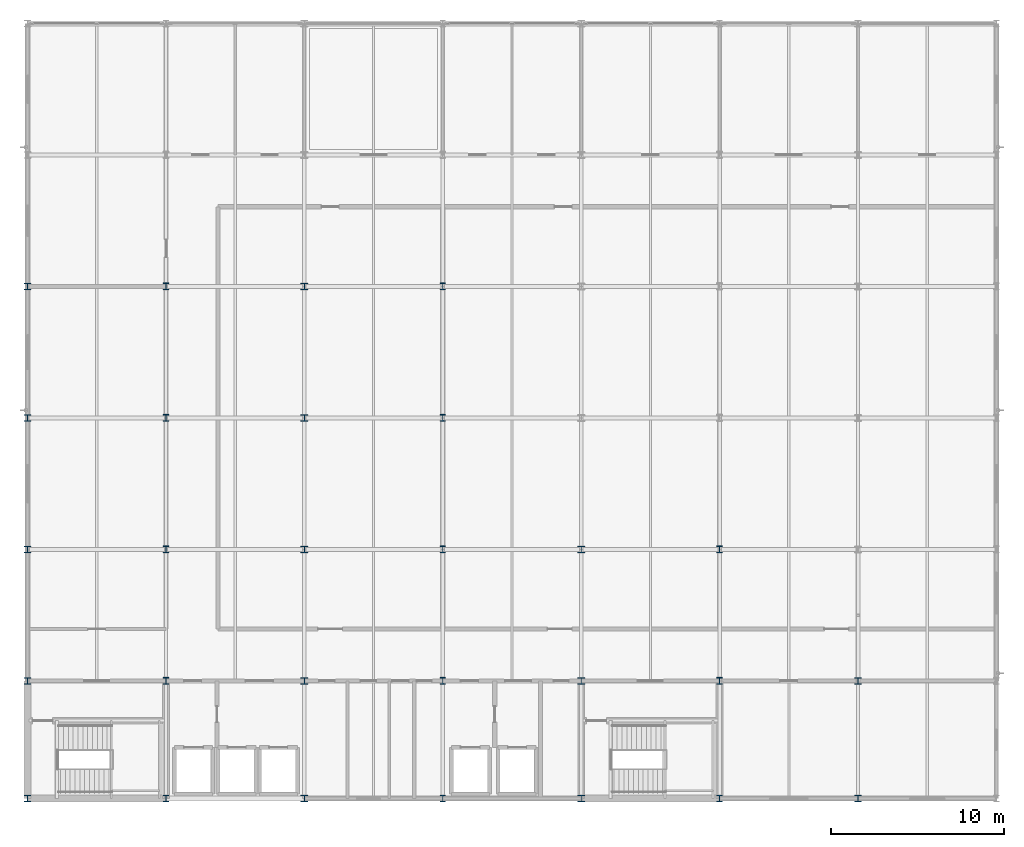
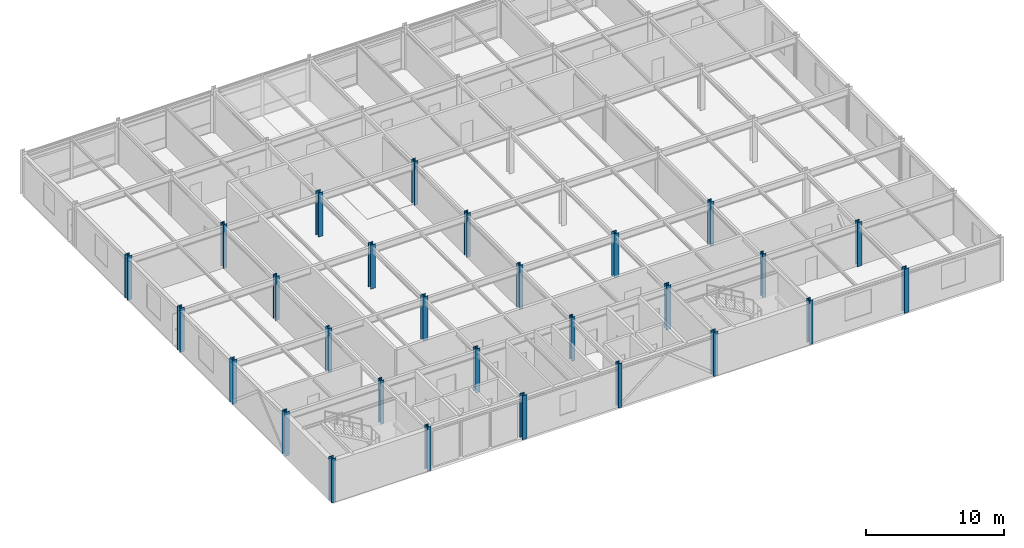
# One storey, part 1 of 18: 28 columns.
"""IFC4 building model written with IfcOpenShell, lengths in metres."""

from ifc_helpers import new_model, si_unit, direction, frame, origin, origin_2d, place, context, subcontext, project, spatial, i_section, extrude, material, material_profile, profile_set, type_object, element, save


model = new_model("IFC4")

# Units and contexts
model_context = context("Model", 3, precision=1e-05, world=origin(), true_north=direction((0.0, 1.0)))
body_context = subcontext(model_context, "Body", "Model", "MODEL_VIEW")
ifc_project = project(units=[si_unit("LENGTHUNIT", "METRE"), si_unit("AREAUNIT", "SQUARE_METRE"), si_unit("VOLUMEUNIT", "CUBIC_METRE"), si_unit("PLANEANGLEUNIT", "RADIAN"), si_unit("MASSUNIT", "GRAM", prefix="KILO")], contexts=[model_context])

# Site, building, storey
site_placement = place(None, origin())
site = spatial("IfcSite", under=ifc_project, at=site_placement, CompositionType="ELEMENT")
building_placement = place(site_placement, origin())
building = spatial("IfcBuilding", under=site, at=building_placement, Name="Shalkamar Park Central Library", CompositionType="ELEMENT")
storey_placement = place(building_placement, frame((0.0, 0.0, 24.300048828125)))
storey = spatial("IfcBuildingStorey", under=building, at=storey_placement, Name="L06", CompositionType="ELEMENT", Elevation=24.300048828125)

# Columns
ifc_material = material(Name="Steel S355", Category="steel")
ifc_material_profile_1 = material_profile(ifc_material, i_section(OverallWidth=0.39794921875, OverallDepth=0.386962890625, WebThickness=0.02099609375, FlangeThickness=0.033203125, FilletRadius=0.014892578125, at=origin_2d()), Name="HD 400x262")
ifc_profile_set_1 = profile_set([ifc_material_profile_1], Name="Steel S355")
column_type_1 = type_object("IfcColumnType", Name="Column Steel HD400x262", PredefinedType="COLUMN", material=ifc_profile_set_1)
for number, where, z_axis, x_axis, name in (
    (1, (165.0, 248.39990234375, 0.0), (0.0, 0.0, 1.0), (1.0, 0.0, 0.0), "Column 07/B (L06)"),
    (2, (165.0, 255.199951171875, 0.0), (0.0, 0.0, 1.0), (1.0, 0.0, 0.0), "Column 07/C (L06)"),
    (3, (165.0, 262.800048828125, 0.0), (0.0, 0.0, 1.0), (1.0, 0.0, 0.0), "Column 07/D (L06)"),
    (4, (165.0, 270.39990234375, 0.0), (0.0, 0.0, 1.0), (1.0, 0.0, 0.0), "Column 07/E (L06)"),
    (5, (165.0, 278.0, 0.0), (0.0, 0.0, 1.0), (1.0, 0.0, 0.0), "Column 07/F (L06)"),
    (6, (181.0, 248.39990234375, 0.0), (0.0, 0.0, 1.0), (1.0, 0.0, 0.0), "Column 09/B (L06)"),
    (7, (181.0, 255.199951171875, 0.0), (0.0, 0.0, 1.0), (1.0, 0.0, 0.0), "Column 09/C (L06)"),
    (8, (181.0, 262.800048828125, 0.0), (0.0, 0.0, 1.0), (1.0, 0.0, 0.0), "Column 09/D (L06)"),
    (9, (181.0, 270.39990234375, 0.0), (0.0, 0.0, 1.0), (1.0, 0.0, 0.0), "Column 09/E (L06)"),
    (10, (181.0, 278.0, 0.0), (0.0, 0.0, 1.0), (1.0, 0.0, 0.0), "Column 09/F (L06)"),
    (11, (197.0, 248.39990234375, 0.0), (0.0, 0.0, 1.0), (1.0, 0.0, 0.0), "Column 11/B (L06)"),
    (12, (197.0, 255.199951171875, 0.0), (0.0, 0.0, 1.0), (1.0, 0.0, 0.0), "Column 11/C (L06)"),
    (13, (197.0, 262.800048828125, 0.0), (0.0, 0.0, 1.0), (1.0, 0.0, 0.0), "Column 11/D (L06)"),
    (14, (213.0, 248.39990234375, 0.0), (0.0, 0.0, 1.0), (1.0, 0.0, 0.0), "Column 13/B (L06)"),
    (15, (213.0, 255.199951171875, 0.0), (0.0, 0.0, 1.0), (1.0, 0.0, 0.0), "Column 13/C (L06)"),
):
    element("IfcColumn", number, at=place(storey_placement, frame(where, z_axis=z_axis, x_axis=x_axis)), inside=storey, type_object=column_type_1, Name=name, PredefinedType="COLUMN", context=body_context, shape_type="SweptSolid", body=[
        extrude(i_section(OverallWidth=0.39794921875, OverallDepth=0.386962890625, WebThickness=0.02099609375, FlangeThickness=0.033203125, FilletRadius=0.014892578125, at=origin_2d()), origin(), (0.0, 0.0, 1.0), 3.89990234375),
    ])
ifc_material_profile_2 = material_profile(ifc_material, i_section(OverallWidth=0.30810546875, OverallDepth=0.39501953125, WebThickness=0.02099609375, FlangeThickness=0.0400390625, FilletRadius=0.027099609375, at=origin_2d()), Name="HEM 360")
ifc_profile_set_2 = profile_set([ifc_material_profile_2], Name="Steel S355")
column_type_2 = type_object("IfcColumnType", Name="Column Steel HEM360", PredefinedType="COLUMN", material=ifc_profile_set_2)
for number, where, z_axis, x_axis, name in (
    (16, (173.0, 248.39990234375, 0.0), (0.0, 0.0, 1.0), (1.0, 0.0, 0.0), "Column 08/B (L06)"),
    (17, (173.0, 255.199951171875, 0.0), (0.0, 0.0, 1.0), (1.0, 0.0, 0.0), "Column 08/C (L06)"),
    (18, (173.0, 262.800048828125, 0.0), (0.0, 0.0, 1.0), (1.0, 0.0, 0.0), "Column 08/D (L06)"),
    (19, (173.0, 270.39990234375, 0.0), (0.0, 0.0, 1.0), (1.0, 0.0, 0.0), "Column 08/E (L06)"),
    (20, (173.0, 278.0, 0.0), (0.0, 0.0, 1.0), (1.0, 0.0, 0.0), "Column 08/F (L06)"),
    (21, (189.0, 248.39990234375, 0.0), (0.0, 0.0, 1.0), (1.0, 0.0, 0.0), "Column 10/B (L06)"),
    (22, (189.0, 255.199951171875, 0.0), (0.0, 0.0, 1.0), (1.0, 0.0, 0.0), "Column 10/C (L06)"),
    (23, (189.0, 262.800048828125, 0.0), (0.0, 0.0, 1.0), (1.0, 0.0, 0.0), "Column 10/D (L06)"),
    (24, (189.0, 270.39990234375, 0.0), (0.0, 0.0, 1.0), (1.0, 0.0, 0.0), "Column 10/E (L06)"),
    (25, (189.0, 278.0, 0.0), (0.0, 0.0, 1.0), (1.0, 0.0, 0.0), "Column 10/F (L06)"),
    (26, (205.0, 248.39990234375, 0.0), (0.0, 0.0, 1.0), (1.0, 0.0, 0.0), "Column 12/B (L06)"),
    (27, (205.0, 255.199951171875, 0.0), (0.0, 0.0, 1.0), (1.0, 0.0, 0.0), "Column 12/C (L06)"),
    (28, (205.0, 262.800048828125, 0.0), (0.0, 0.0, 1.0), (1.0, 0.0, 0.0), "Column 12/D (L06)"),
):
    element("IfcColumn", number, at=place(storey_placement, frame(where, z_axis=z_axis, x_axis=x_axis)), inside=storey, type_object=column_type_2, Name=name, PredefinedType="COLUMN", context=body_context, shape_type="SweptSolid", body=[
        extrude(i_section(OverallWidth=0.30810546875, OverallDepth=0.39501953125, WebThickness=0.02099609375, FlangeThickness=0.0400390625, FilletRadius=0.027099609375, at=origin_2d()), origin(), (0.0, 0.0, 1.0), 3.89990234375),
    ])

save(model, "model.ifc")
